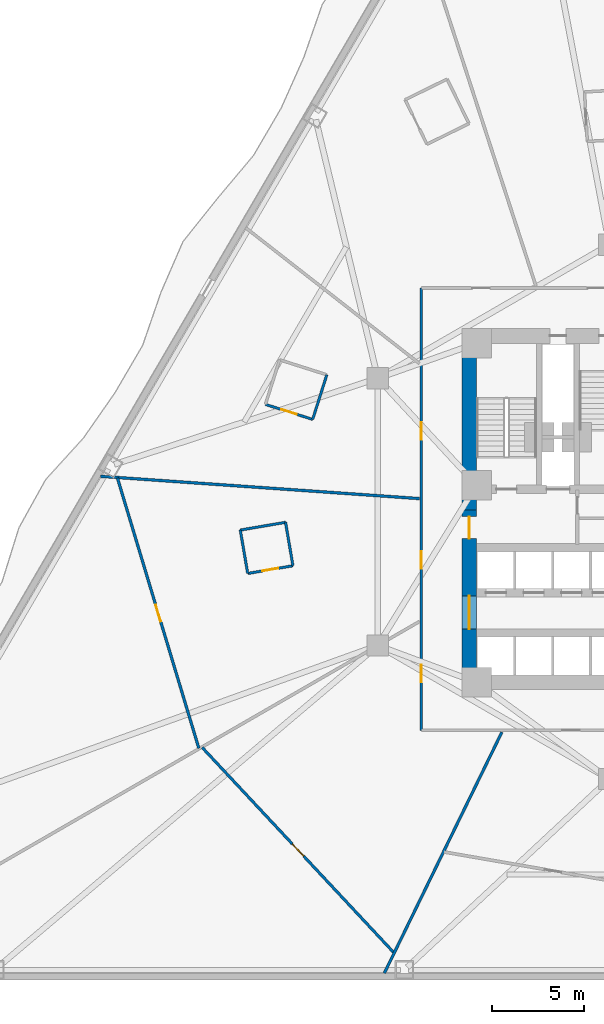
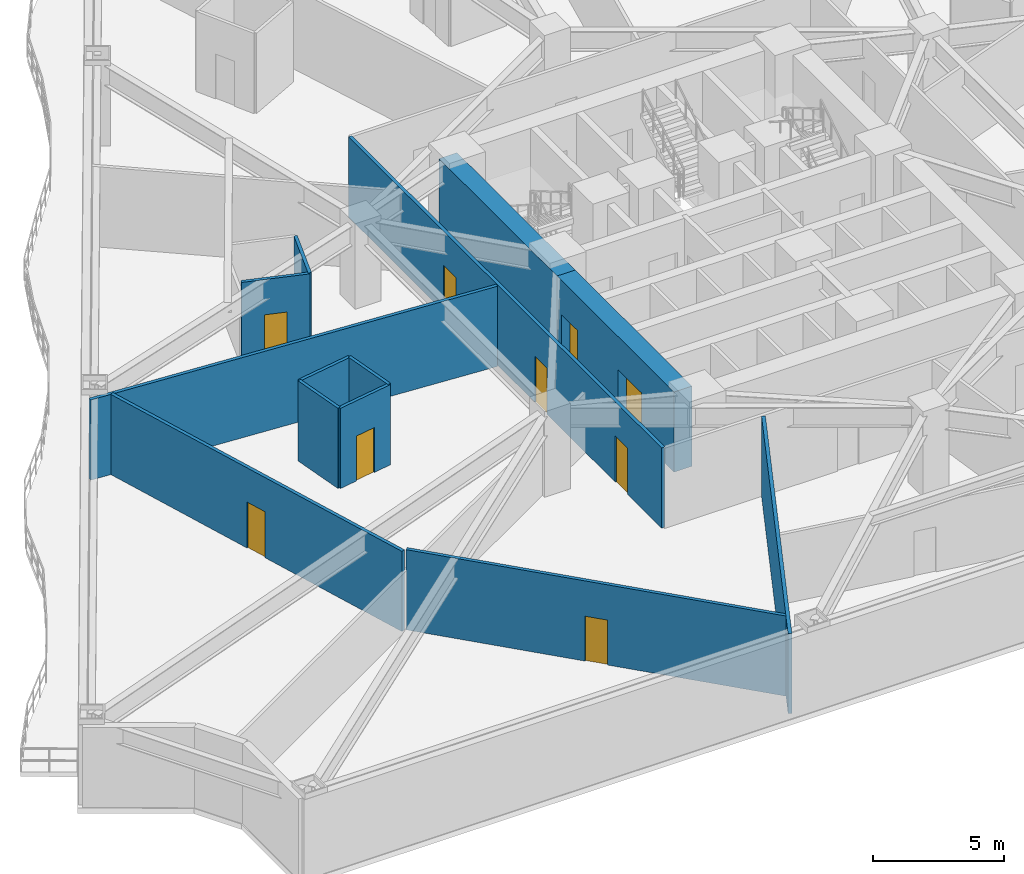
# One storey, part 3 of 11: 13 walls, 9 doors, 9 openings.
"""IFC4 building model written with IfcOpenShell, lengths in metres."""

from ifc_helpers import new_model, si_unit, direction, frame, frame_2d, origin, place, context, subcontext, project, spatial, rectangle, extrude, material, layer, layer_set, type_object, element, fill, save


model = new_model("IFC4")

# Units and contexts
model_context = context("Model", 3, precision=1e-05, world=origin(), true_north=direction((0.0, 1.0)))
body_context = subcontext(model_context, "Body", "Model", "MODEL_VIEW")
ifc_project = project(units=[si_unit("LENGTHUNIT", "METRE"), si_unit("AREAUNIT", "SQUARE_METRE"), si_unit("VOLUMEUNIT", "CUBIC_METRE"), si_unit("PLANEANGLEUNIT", "RADIAN"), si_unit("MASSUNIT", "GRAM", prefix="KILO")], contexts=[model_context])

# Site, building, storey
site_placement = place(None, origin())
site = spatial("IfcSite", under=ifc_project, at=site_placement, CompositionType="ELEMENT")
building_placement = place(site_placement, origin())
building = spatial("IfcBuilding", under=site, at=building_placement, Name="Apsidion Concourse Tower", CompositionType="ELEMENT")
storey_placement = place(building_placement, frame((0.0, 0.0, 54.39990234375)))
storey = spatial("IfcBuildingStorey", under=building, at=storey_placement, Name="L11", CompositionType="ELEMENT", Elevation=54.39990234375)

# Walls
ifc_material_1 = material(Name="Gypsum plasterboard partition")
ifc_layer_1 = layer(ifc_material_1, 0.139892578125)
ifc_layer_set_1 = layer_set([ifc_layer_1], Name="Gypsum plasterboard partition")
wall_type_1 = type_object("IfcWallType", Name="WL-INT-PAR-140", PredefinedType="PARTITIONING", material=ifc_layer_set_1)
wall_1_placement = place(storey_placement, frame((-17.56884765625, -0.56640625, 0.0), z_axis=(0.0, 0.0, 1.0), x_axis=(-0.985693546415, -0.168547419306, 0.0)))
element("IfcWall", 1, at=wall_1_placement, inside=storey, type_object=wall_type_1, Name="L11 Interior Partition WL-L11-POD-HKAWC-S1", PredefinedType="PARTITIONING", context=body_context, shape_type="SweptSolid", body=[
    extrude(rectangle(XDim=2.489990234375, YDim=0.139892578125, at=frame_2d((1.2451171875, 0.0))), origin(), (0.0, 0.0, 1.0), 3.75),
])
wall_2_placement = place(storey_placement, frame((-20.023193359375, -0.986083984375, 0.0), z_axis=(0.0, 0.0, 1.0), x_axis=(0.168456250153, -0.98570913143, 0.0)))
element("IfcWall", 2, at=wall_2_placement, inside=storey, type_object=wall_type_1, Name="L11 Interior Partition WL-L11-POD-HKAWC-S2", PredefinedType="PARTITIONING", context=body_context, shape_type="SweptSolid", body=[
    extrude(rectangle(XDim=2.389892578125, YDim=0.139892578125, at=frame_2d((1.19482421875, 0.0))), origin(), (0.0, 0.0, 1.0), 3.75),
])

# Wall, opening, door
wall_3_placement = place(storey_placement, frame((-19.62060546875, -3.341796875, 0.0), z_axis=(0.0, 0.0, 1.0), x_axis=(0.985709831675, 0.168452152673, 0.0)))
wall_3 = element("IfcWall", 3, at=wall_3_placement, inside=storey, type_object=wall_type_1, Name="L11 Interior Partition WL-L11-POD-HKAWC-S3", PredefinedType="PARTITIONING", context=body_context, shape_type="SweptSolid", body=[
    extrude(rectangle(XDim=2.489990234375, YDim=0.139892578125, at=frame_2d((1.2451171875, 0.0))), origin(), (0.0, 0.0, 1.0), 3.75),
])
opening_1_placement = place(wall_3_placement, frame((0.804931640625, 0.0, 0.0)))
opening_1 = element("IfcOpeningElement", 4, at=opening_1_placement, cuts=wall_3, Name="Opening D-03L", PredefinedType="OPENING", context=body_context, shape_type="SweptSolid", body=[
    extrude(rectangle(XDim=0.8798828125, YDim=2.10009765625, at=frame_2d((0.43994140625, 1.050048828125))), frame((0.0, 0.080078125, 0.0), z_axis=(0.0, -1.0, 0.0), x_axis=(1.0, 0.0, 0.0)), (0.0, 0.0, 1.0), 0.159912109375),
])
ifc_material_2 = material(Name="Anodised aluminium EN AW-6063 T6", Category="aluminium")
door_type_1 = type_object("IfcDoorType", Name="DR-INT-D03L", OperationType="SINGLE_SWING_LEFT", PredefinedType="DOOR", material=ifc_material_2)
door_1_placement = place(opening_1_placement, origin())
door_1 = element("IfcDoor", 5, at=door_1_placement, inside=storey, type_object=door_type_1, Name="L11 Hotel Accessible WC Door HKAWC", OperationType="SINGLE_SWING_LEFT", OverallHeight=2.10009765625, OverallWidth=0.8798828125, PredefinedType="DOOR", context=body_context, shape_type="SweptSolid", body=[
    extrude(rectangle(XDim=0.8798828125, YDim=2.10009765625, at=frame_2d((0.43994140625, 1.050048828125))), frame((0.0, 0.02490234375, 0.0), z_axis=(0.0, -1.0, 0.0), x_axis=(1.0, 0.0, 0.0)), (0.0, 0.0, 1.0), 0.050048828125),
])
fill(opening_1, door_1)

# Wall
wall_4_placement = place(storey_placement, frame((-17.166259765625, -2.92236328125, 0.0), z_axis=(0.0, 0.0, 1.0), x_axis=(-0.168439288847, 0.985712029942, 0.0)))
element("IfcWall", 6, at=wall_4_placement, inside=storey, type_object=wall_type_1, Name="L11 Interior Partition WL-L11-POD-HKAWC-S4", PredefinedType="PARTITIONING", context=body_context, shape_type="SweptSolid", body=[
    extrude(rectangle(XDim=2.39013671875, YDim=0.139892578125, at=frame_2d((1.195068359375, 0.0))), origin(), (0.0, 0.0, 1.0), 3.75),
])

# Wall, opening, door
wall_5_placement = place(storey_placement, frame((-18.660400390625, 5.831787109375, 0.0), z_axis=(0.0, 0.0, 1.0), x_axis=(0.953210227692, -0.302308223216, 0.0)))
wall_5 = element("IfcWall", 7, at=wall_5_placement, inside=storey, type_object=wall_type_1, Name="L11 Interior Partition WL-L11-POD-ENS10-S3", PredefinedType="PARTITIONING", context=body_context, shape_type="SweptSolid", body=[
    extrude(rectangle(XDim=2.690185546875, YDim=0.139892578125, at=frame_2d((1.34521484375, 0.0))), origin(), (0.0, 0.0, 1.0), 3.75),
])
opening_2_placement = place(wall_5_placement, frame((0.905029296875, 0.0, 0.0)))
opening_2 = element("IfcOpeningElement", 8, at=opening_2_placement, cuts=wall_5, Name="Opening D-03L", PredefinedType="OPENING", context=body_context, shape_type="SweptSolid", body=[
    extrude(rectangle(XDim=0.8798828125, YDim=2.10009765625, at=frame_2d((0.43994140625, 1.050048828125))), frame((0.0, 0.080078125, 0.0), z_axis=(0.0, -1.0, 0.0), x_axis=(1.0, 0.0, 0.0)), (0.0, 0.0, 1.0), 0.159912109375),
])
door_2_placement = place(opening_2_placement, origin())
door_2 = element("IfcDoor", 9, at=door_2_placement, inside=storey, type_object=door_type_1, Name="L11 Guest En-Suite Bathroom Door ENS10", OperationType="SINGLE_SWING_LEFT", OverallHeight=2.10009765625, OverallWidth=0.8798828125, PredefinedType="DOOR", context=body_context, shape_type="SweptSolid", body=[
    extrude(rectangle(XDim=0.8798828125, YDim=2.10009765625, at=frame_2d((0.43994140625, 1.050048828125))), frame((0.0, 0.02490234375, 0.0), z_axis=(0.0, -1.0, 0.0), x_axis=(1.0, 0.0, 0.0)), (0.0, 0.0, 1.0), 0.050048828125),
])
fill(opening_2, door_2)

# Wall
wall_6_placement = place(storey_placement, frame((-16.09619140625, 5.0185546875, 0.0), z_axis=(0.0, 0.0, 1.0), x_axis=(0.302382317173, 0.953186725811, 0.0)))
element("IfcWall", 10, at=wall_6_placement, inside=storey, type_object=wall_type_1, Name="L11 Interior Partition WL-L11-POD-ENS10-S4", PredefinedType="PARTITIONING", context=body_context, shape_type="SweptSolid", body=[
    extrude(rectangle(XDim=2.5400390625, YDim=0.139892578125, at=frame_2d((1.27001953125, 0.0))), origin(), (0.0, 0.0, 1.0), 3.75),
])

# Wall, openings, doors
ifc_layer_2 = layer(ifc_material_1, 0.14990234375)
ifc_layer_set_2 = layer_set([ifc_layer_2], Name="Gypsum plasterboard partition")
wall_type_2 = type_object("IfcWallType", Name="WL-INT-PAR-150", PredefinedType="PARTITIONING", material=ifc_layer_set_2)
wall_7_placement = place(storey_placement, frame((-10.199951171875, -11.85009765625, 0.0), z_axis=(0.0, 0.0, 1.0), x_axis=(0.0, 1.0, 0.0)))
wall_7 = element("IfcWall", 11, at=wall_7_placement, inside=storey, type_object=wall_type_2, Name="L11 Interior Partition WL-L11-CORR-04", PredefinedType="PARTITIONING", context=body_context, shape_type="SweptSolid", body=[
    extrude(rectangle(XDim=24.0, YDim=0.14990234375, at=frame_2d((12.0, 0.0))), origin(), (0.0, 0.0, 1.0), 3.75),
])
opening_3_placement = place(wall_7_placement, frame((8.764892578125, 0.0, 0.0)))
opening_3 = element("IfcOpeningElement", 12, at=opening_3_placement, cuts=wall_7, Name="Opening D-01L", PredefinedType="OPENING", context=body_context, shape_type="SweptSolid", body=[
    extrude(rectangle(XDim=0.949951171875, YDim=2.14990234375, at=frame_2d((0.47509765625, 1.074951171875))), frame((0.0, 0.0849609375, 0.0), z_axis=(0.0, -1.0, 0.0), x_axis=(1.0, 0.0, 0.0)), (0.0, 0.0, 1.0), 0.169921875),
])
opening_4_placement = place(wall_7_placement, frame((2.604248046875, 0.0, 0.0)))
opening_4 = element("IfcOpeningElement", 13, at=opening_4_placement, cuts=wall_7, Name="Opening D-01R", PredefinedType="OPENING", context=body_context, shape_type="SweptSolid", body=[
    extrude(rectangle(XDim=0.949951171875, YDim=2.14990234375, at=frame_2d((0.47509765625, 1.074951171875))), frame((0.0, 0.0849609375, 0.0), z_axis=(0.0, -1.0, 0.0), x_axis=(1.0, 0.0, 0.0)), (0.0, 0.0, 1.0), 0.169921875),
])
opening_5_placement = place(wall_7_placement, frame((15.758544921875, 0.0, 0.0)))
opening_5 = element("IfcOpeningElement", 14, at=opening_5_placement, cuts=wall_7, Name="Opening D-01L", PredefinedType="OPENING", context=body_context, shape_type="SweptSolid", body=[
    extrude(rectangle(XDim=0.949951171875, YDim=2.14990234375, at=frame_2d((0.47509765625, 1.074951171875))), frame((0.0, 0.0849609375, 0.0), z_axis=(0.0, -1.0, 0.0), x_axis=(1.0, 0.0, 0.0)), (0.0, 0.0, 1.0), 0.169921875),
])
ifc_material_3 = material(Name="Brushed stainless steel 316", Category="steel")
door_type_2 = type_object("IfcDoorType", Name="DR-INT-D01L", OperationType="SINGLE_SWING_LEFT", PredefinedType="DOOR", material=ifc_material_3)
door_3_placement = place(opening_3_placement, origin())
door_3 = element("IfcDoor", 15, at=door_3_placement, inside=storey, type_object=door_type_2, Name="L11 Corridor Entry Door 01", OperationType="SINGLE_SWING_LEFT", OverallHeight=2.14990234375, OverallWidth=0.949951171875, PredefinedType="DOOR", context=body_context, shape_type="SweptSolid", body=[
    extrude(rectangle(XDim=0.949951171875, YDim=2.14990234375, at=frame_2d((0.47509765625, 1.074951171875))), frame((0.0, 0.02490234375, 0.0), z_axis=(0.0, -1.0, 0.0), x_axis=(1.0, 0.0, 0.0)), (0.0, 0.0, 1.0), 0.050048828125),
])
fill(opening_3, door_3)
door_4_placement = place(opening_5_placement, origin())
door_4 = element("IfcDoor", 16, at=door_4_placement, inside=storey, type_object=door_type_2, Name="L11 Corridor Entry Door 11", OperationType="SINGLE_SWING_LEFT", OverallHeight=2.14990234375, OverallWidth=0.949951171875, PredefinedType="DOOR", context=body_context, shape_type="SweptSolid", body=[
    extrude(rectangle(XDim=0.949951171875, YDim=2.14990234375, at=frame_2d((0.47509765625, 1.074951171875))), frame((0.0, 0.02490234375, 0.0), z_axis=(0.0, -1.0, 0.0), x_axis=(1.0, 0.0, 0.0)), (0.0, 0.0, 1.0), 0.050048828125),
])
fill(opening_5, door_4)
door_type_3 = type_object("IfcDoorType", Name="DR-INT-D01R", OperationType="SINGLE_SWING_RIGHT", PredefinedType="DOOR", material=ifc_material_3)
door_5_placement = place(opening_4_placement, origin())
door_5 = element("IfcDoor", 17, at=door_5_placement, inside=storey, type_object=door_type_3, Name="L11 Corridor Entry Door 02", OperationType="SINGLE_SWING_RIGHT", OverallHeight=2.14990234375, OverallWidth=0.949951171875, PredefinedType="DOOR", context=body_context, shape_type="SweptSolid", body=[
    extrude(rectangle(XDim=0.949951171875, YDim=2.14990234375, at=frame_2d((0.47509765625, 1.074951171875))), frame((0.0, 0.02490234375, 0.0), z_axis=(0.0, -1.0, 0.0), x_axis=(1.0, 0.0, 0.0)), (0.0, 0.0, 1.0), 0.050048828125),
])
fill(opening_4, door_5)

# Walls
wall_8_placement = place(storey_placement, frame((-10.304931640625, 0.720703125, 0.0), z_axis=(0.0, 0.0, 1.0), x_axis=(-0.997564495515, 0.069750106007, 0.0)))
element("IfcWall", 18, at=wall_8_placement, inside=storey, type_object=wall_type_2, Name="L11 Interior Partition WL-L11-RAD-06-1", PredefinedType="PARTITIONING", context=body_context, shape_type="SweptSolid", body=[
    extrude(rectangle(XDim=17.340087890625, YDim=0.14990234375, at=frame_2d((8.669921875, 0.0))), origin(), (0.0, 0.0, 1.0), 3.75),
])
wall_9_placement = place(storey_placement, frame((-5.830810546875, -11.955078125, 0.0), z_axis=(0.0, 0.0, 1.0), x_axis=(-0.438380960837, -0.898789259602, 0.0)))
element("IfcWall", 19, at=wall_9_placement, inside=storey, type_object=wall_type_2, Name="L11 Interior Partition WL-L11-RAD-08-1", PredefinedType="PARTITIONING", context=body_context, shape_type="SweptSolid", body=[
    extrude(rectangle(XDim=14.54150390625, YDim=0.14990234375, at=frame_2d((7.270751953125, 0.0))), origin(), (0.0, 0.0, 1.0), 3.75),
])

# Wall, opening, door
wall_10_placement = place(storey_placement, frame((-26.690673828125, 1.84130859375, 0.0), z_axis=(0.0, 0.0, 1.0), x_axis=(0.28842068966, -0.957503788909, 0.0)))
wall_10 = element("IfcWall", 20, at=wall_10_placement, inside=storey, type_object=wall_type_2, Name="L11 Interior Partition WL-L11-CHD-HKWC", PredefinedType="PARTITIONING", context=body_context, shape_type="SweptSolid", body=[
    extrude(rectangle(XDim=15.322021484375, YDim=0.14990234375, at=frame_2d((7.6611328125, 0.0))), origin(), (0.0, 0.0, 1.0), 3.75),
])
opening_6_placement = place(wall_10_placement, frame((7.18603515625, 0.0, 0.0)))
opening_6 = element("IfcOpeningElement", 21, at=opening_6_placement, cuts=wall_10, Name="Opening D-04R", PredefinedType="OPENING", context=body_context, shape_type="SweptSolid", body=[
    extrude(rectangle(XDim=0.949951171875, YDim=2.14990234375, at=frame_2d((0.47509765625, 1.074951171875))), frame((0.0, 0.0849609375, 0.0), z_axis=(0.0, -1.0, 0.0), x_axis=(1.0, 0.0, 0.0)), (0.0, 0.0, 1.0), 0.169921875),
])
door_type_4 = type_object("IfcDoorType", Name="DR-INT-D04R", OperationType="SINGLE_SWING_RIGHT", PredefinedType="DOOR", material=ifc_material_3)
door_6_placement = place(opening_6_placement, origin())
door_6 = element("IfcDoor", 22, at=door_6_placement, inside=storey, type_object=door_type_4, Name="L11 Suite Connecting Door HKWC", OperationType="SINGLE_SWING_RIGHT", OverallHeight=2.14990234375, OverallWidth=0.949951171875, PredefinedType="DOOR", context=body_context, shape_type="SweptSolid", body=[
    extrude(rectangle(XDim=0.949951171875, YDim=2.14990234375, at=frame_2d((0.47509765625, 1.074951171875))), frame((0.0, 0.02490234375, 0.0), z_axis=(0.0, -1.0, 0.0), x_axis=(1.0, 0.0, 0.0)), (0.0, 0.0, 1.0), 0.050048828125),
])
fill(opening_6, door_6)

wall_11_placement = place(storey_placement, frame((-22.09130859375, -12.783203125, 0.0), z_axis=(0.0, 0.0, 1.0), x_axis=(0.682691040269, -0.730707153062, 0.0)))
wall_11 = element("IfcWall", 23, at=wall_11_placement, inside=storey, type_object=wall_type_2, Name="L11 Interior Partition WL-L11-CHD-HXS01", PredefinedType="PARTITIONING", context=body_context, shape_type="SweptSolid", body=[
    extrude(rectangle(XDim=15.2333984375, YDim=0.14990234375, at=frame_2d((7.61669921875, 0.0))), origin(), (0.0, 0.0, 1.0), 3.75),
])
opening_7_placement = place(wall_11_placement, frame((7.16650390625, 0.0, 0.0)))
opening_7 = element("IfcOpeningElement", 24, at=opening_7_placement, cuts=wall_11, Name="Opening D-02L", PredefinedType="OPENING", context=body_context, shape_type="SweptSolid", body=[
    extrude(rectangle(XDim=0.89990234375, YDim=2.10009765625, at=frame_2d((0.449951171875, 1.050048828125))), frame((0.0, 0.0849609375, 0.0), z_axis=(0.0, -1.0, 0.0), x_axis=(1.0, 0.0, 0.0)), (0.0, 0.0, 1.0), 0.169921875),
])
door_type_5 = type_object("IfcDoorType", Name="DR-INT-D02L", OperationType="SINGLE_SWING_LEFT", PredefinedType="DOOR", material=ifc_material_2)
door_7_placement = place(opening_7_placement, origin())
door_7 = element("IfcDoor", 25, at=door_7_placement, inside=storey, type_object=door_type_5, Name="L11 Suite Connecting Door HXS01", OperationType="SINGLE_SWING_LEFT", OverallHeight=2.10009765625, OverallWidth=0.89990234375, PredefinedType="DOOR", context=body_context, shape_type="SweptSolid", body=[
    extrude(rectangle(XDim=0.89990234375, YDim=2.10009765625, at=frame_2d((0.449951171875, 1.050048828125))), frame((0.0, 0.02490234375, 0.0), z_axis=(0.0, -1.0, 0.0), x_axis=(1.0, 0.0, 0.0)), (0.0, 0.0, 1.0), 0.050048828125),
])
fill(opening_7, door_7)

# Wall
ifc_material_4 = material(Name="Concrete C60/75", Category="concrete")
ifc_layer_3 = layer(ifc_material_4, 0.800048828125)
ifc_layer_set_3 = layer_set([ifc_layer_3], Name="Concrete C60/75")
wall_type_3 = type_object("IfcWallType", Name="WL-SH-800", PredefinedType="SHEAR", material=ifc_layer_set_3)
wall_12_placement = place(storey_placement, frame((-7.60009765625, 0.10009765625, 0.0), z_axis=(0.0, 0.0, 1.0), x_axis=(0.0, 1.0, 0.0)))
element("IfcWall", 26, at=wall_12_placement, inside=storey, type_object=wall_type_3, Name="L11 Central Core Shear Wall WN", PredefinedType="SHEAR", context=body_context, shape_type="SweptSolid", body=[
    extrude(rectangle(XDim=9.0498046875, YDim=0.800048828125, at=frame_2d((4.52490234375, 0.0))), origin(), (0.0, 0.0, 1.0), 3.75),
])

# Wall, openings, doors
wall_13_placement = place(storey_placement, frame((-7.60009765625, -8.85009765625, 0.0), z_axis=(0.0, 0.0, 1.0), x_axis=(0.0, 1.0, 0.0)))
wall_13 = element("IfcWall", 27, at=wall_13_placement, inside=storey, type_object=wall_type_3, Name="L11 Central Core Shear Wall WS", PredefinedType="SHEAR", context=body_context, shape_type="SweptSolid", body=[
    extrude(rectangle(XDim=8.9501953125, YDim=0.800048828125, at=frame_2d((4.47509765625, 0.0))), origin(), (0.0, 0.0, 1.0), 3.75),
])
opening_8_placement = place(wall_13_placement, frame((2.489990234375, 0.0, 0.0)))
opening_8 = element("IfcOpeningElement", 28, at=opening_8_placement, cuts=wall_13, Name="Opening D-06D", PredefinedType="OPENING", context=body_context, shape_type="SweptSolid", body=[
    extrude(rectangle(XDim=1.800048828125, YDim=2.199951171875, at=frame_2d((0.89990234375, 1.10009765625))), frame((0.0, 0.41015625, 0.0), z_axis=(0.0, -1.0, 0.0), x_axis=(1.0, 0.0, 0.0)), (0.0, 0.0, 1.0), 0.820068359375),
])
opening_9_placement = place(wall_13_placement, frame((7.39990234375, 0.0, 0.0)))
opening_9 = element("IfcOpeningElement", 29, at=opening_9_placement, cuts=wall_13, Name="Opening D-FFL", PredefinedType="OPENING", context=body_context, shape_type="SweptSolid", body=[
    extrude(rectangle(XDim=1.199951171875, YDim=2.14990234375, at=frame_2d((0.60009765625, 1.074951171875))), frame((0.0, 0.41015625, 0.0), z_axis=(0.0, -1.0, 0.0), x_axis=(1.0, 0.0, 0.0)), (0.0, 0.0, 1.0), 0.820068359375),
])
door_type_6 = type_object("IfcDoorType", Name="DR-INT-D06D", OperationType="DOUBLE_DOOR_SINGLE_SWING", PredefinedType="DOOR", material=ifc_material_3)
door_8_placement = place(opening_8_placement, origin())
door_8 = element("IfcDoor", 30, at=door_8_placement, inside=storey, type_object=door_type_6, Name="L11 Passenger Lift Lobby WS Portal Door", OperationType="DOUBLE_DOOR_SINGLE_SWING", OverallHeight=2.199951171875, OverallWidth=1.800048828125, PredefinedType="DOOR", context=body_context, shape_type="SweptSolid", body=[
    extrude(rectangle(XDim=1.800048828125, YDim=2.199951171875, at=frame_2d((0.89990234375, 1.10009765625))), frame((0.0, 0.02490234375, 0.0), z_axis=(0.0, -1.0, 0.0), x_axis=(1.0, 0.0, 0.0)), (0.0, 0.0, 1.0), 0.050048828125),
])
fill(opening_8, door_8)
door_type_7 = type_object("IfcDoorType", Name="DR-INT-FFL", OperationType="SINGLE_SWING_LEFT", PredefinedType="DOOR", material=ifc_material_3)
door_9_placement = place(opening_9_placement, origin())
door_9 = element("IfcDoor", 31, at=door_9_placement, inside=storey, type_object=door_type_7, Name="L11 Firefighting Lift Lobby FF1 Door", OperationType="SINGLE_SWING_LEFT", OverallHeight=2.14990234375, OverallWidth=1.199951171875, PredefinedType="DOOR", context=body_context, shape_type="SweptSolid", body=[
    extrude(rectangle(XDim=1.199951171875, YDim=2.14990234375, at=frame_2d((0.60009765625, 1.074951171875))), frame((0.0, 0.02490234375, 0.0), z_axis=(0.0, -1.0, 0.0), x_axis=(1.0, 0.0, 0.0)), (0.0, 0.0, 1.0), 0.050048828125),
])
fill(opening_9, door_9)

save(model, "model.ifc")
